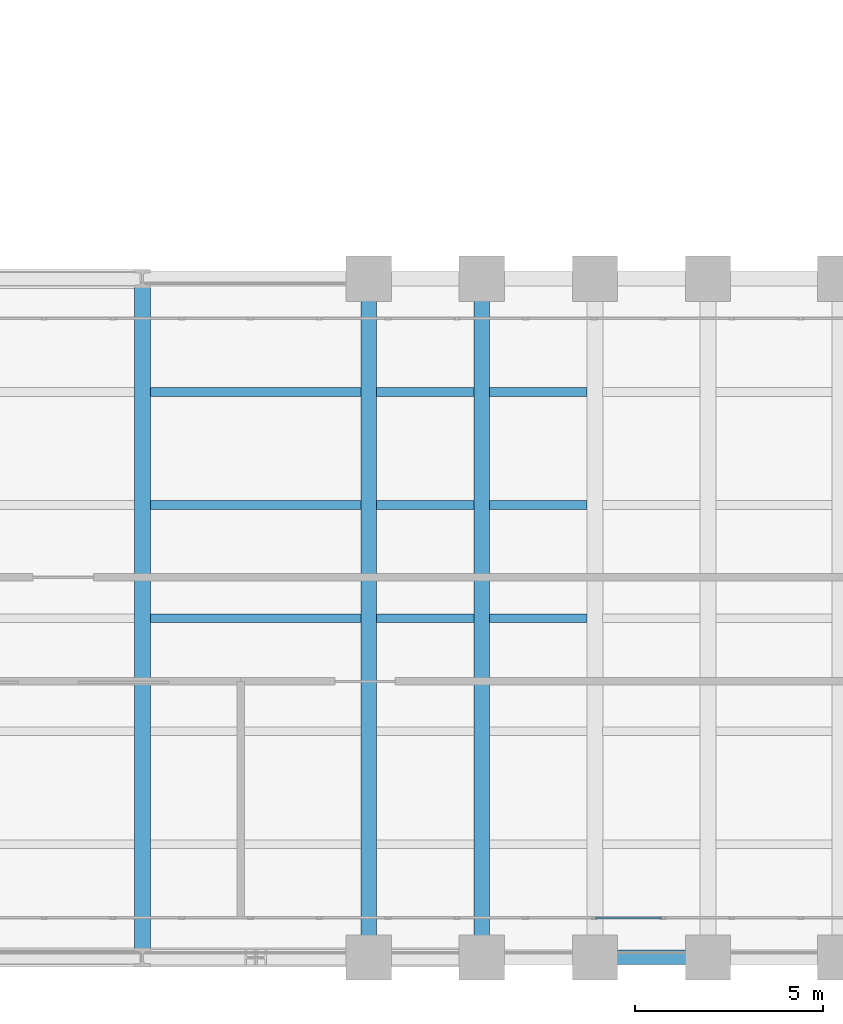
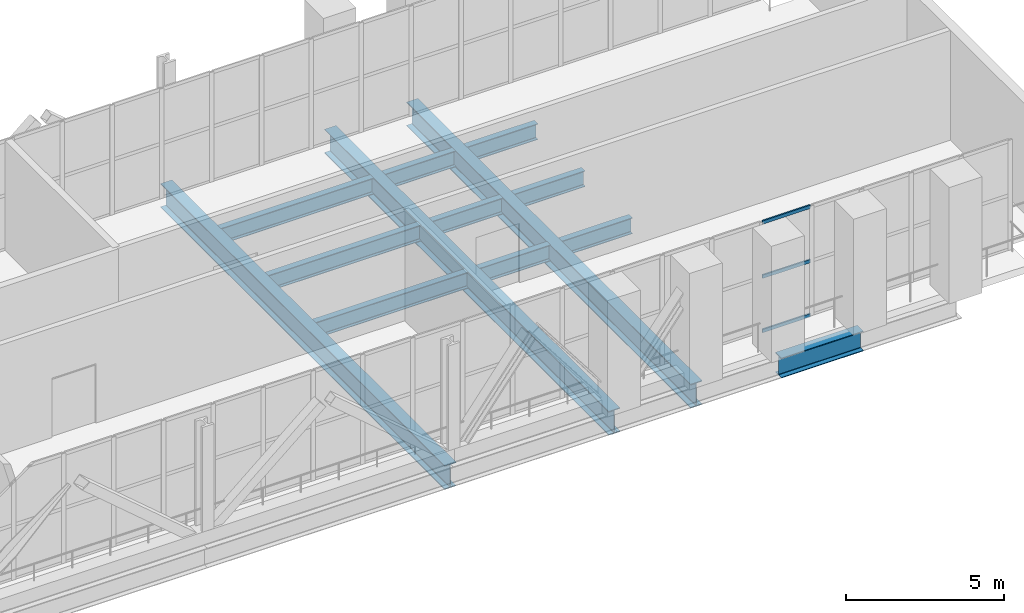
# One storey, part 14 of 27: 13 beams, 3 members, 1 element without a shape of its own.
"""IFC4 building model written with IfcOpenShell, lengths in metres."""

from ifc_helpers import new_model, si_unit, direction, frame, origin, origin_2d, place, context, subcontext, project, spatial, hollow_rectangle, i_section, extrude, material, layer, layer_set, material_profile, profile_set, type_object, element, aggregate, save


model = new_model("IFC4")

# Units and contexts
model_context = context("Model", 3, precision=1e-05, world=origin(), true_north=direction((0.0, 1.0)))
body_context = subcontext(model_context, "Body", "Model", "MODEL_VIEW")
ifc_project = project(units=[si_unit("LENGTHUNIT", "METRE"), si_unit("AREAUNIT", "SQUARE_METRE"), si_unit("VOLUMEUNIT", "CUBIC_METRE"), si_unit("PLANEANGLEUNIT", "RADIAN"), si_unit("MASSUNIT", "GRAM", prefix="KILO")], contexts=[model_context])

# Site, building, storey
site_placement = place(None, origin())
site = spatial("IfcSite", under=ifc_project, at=site_placement, CompositionType="ELEMENT")
building_placement = place(site_placement, origin())
building = spatial("IfcBuilding", under=site, at=building_placement, Name="Mawjdan Bourse Tower", CompositionType="ELEMENT")
storey_placement = place(building_placement, frame((0.0, 0.0, 84.60009765625)))
storey = spatial("IfcBuildingStorey", under=building, at=storey_placement, Name="L19", CompositionType="ELEMENT", Elevation=84.60009765625)

# Beams
ifc_material_1 = material(Name="Structural Steel S460", Category="steel")
ifc_material_profile_1 = material_profile(ifc_material_1, i_section(OverallWidth=0.41796875, OverallDepth=0.927001953125, WebThickness=0.019287109375, FlangeThickness=0.031982421875, FilletRadius=0.025634765625, at=origin_2d()), Name="W36X231")
ifc_profile_set_1 = profile_set([ifc_material_profile_1], Name="Structural Steel S460")
beam_type_1 = type_object("IfcBeamType", Name="GRD-W36X231", PredefinedType="BEAM", material=ifc_profile_set_1)
for number, where, z_axis, x_axis, name in (
    (1, (42.0, 3.0, -0.74365234375), (0.0, 1.0, 0.0), (-1.0, 0.0, 0.0), "L19 East Wing Clear-Span Girder 003"),
    (2, (48.0, 3.0, -0.74365234375), (0.0, 1.0, 0.0), (-1.0, 0.0, 0.0), "L19 East Wing Clear-Span Girder 004"),
    (3, (51.0, 3.0, -0.74365234375), (0.0, 1.0, 0.0), (-1.0, 0.0, 0.0), "L19 East Wing Clear-Span Girder 005"),
):
    element("IfcBeam", number, at=place(storey_placement, frame(where, z_axis=z_axis, x_axis=x_axis)), inside=storey, type_object=beam_type_1, Name=name, PredefinedType="BEAM", context=body_context, shape_type="SweptSolid", body=[
        extrude(i_section(OverallWidth=0.41796875, OverallDepth=0.927001953125, WebThickness=0.019287109375, FlangeThickness=0.031982421875, FilletRadius=0.025634765625, at=origin_2d()), origin(), (0.0, 0.0, 1.0), 18.0),
    ])
ifc_material_2 = material(Name="Structural Steel S355", Category="steel")
ifc_material_profile_2 = material_profile(ifc_material_2, i_section(OverallWidth=0.22998046875, OverallDepth=0.616943359375, WebThickness=0.01318359375, FlangeThickness=0.022216796875, FilletRadius=0.017822265625, at=origin_2d()), Name="W24X94")
ifc_profile_set_2 = profile_set([ifc_material_profile_2], Name="Structural Steel S355")
beam_type_2 = type_object("IfcBeamType", Name="JST-W24X94", PredefinedType="JOIST", material=ifc_profile_set_2)
beam_1_placement = place(storey_placement, frame((42.20703125, 12.0, -0.588623046875), z_axis=(1.0, 0.0, 0.0), x_axis=(0.0, 1.0, 0.0)))
element("IfcBeam", 4, at=beam_1_placement, inside=storey, type_object=beam_type_2, Name="L19 East Wing Composite Joist 039", PredefinedType="JOIST", context=body_context, shape_type="SweptSolid", body=[
    extrude(i_section(OverallWidth=0.22998046875, OverallDepth=0.616943359375, WebThickness=0.01318359375, FlangeThickness=0.022216796875, FilletRadius=0.017822265625, at=origin_2d()), origin(), (0.0, 0.0, 1.0), 5.5859375),
])
for number, where, z_axis, x_axis, name in (
    (5, (48.20703125, 12.0, -0.588623046875), (1.0, 0.0, 0.0), (0.0, 1.0, 0.0), "L19 East Wing Composite Joist 040"),
    (6, (51.20703125, 12.0, -0.588623046875), (1.0, 0.0, 0.0), (0.0, 1.0, 0.0), "L19 East Wing Composite Joist 041"),
):
    element("IfcBeam", number, at=place(storey_placement, frame(where, z_axis=z_axis, x_axis=x_axis)), inside=storey, type_object=beam_type_2, Name=name, PredefinedType="JOIST", context=body_context, shape_type="SweptSolid", body=[
        extrude(i_section(OverallWidth=0.22998046875, OverallDepth=0.616943359375, WebThickness=0.01318359375, FlangeThickness=0.022216796875, FilletRadius=0.017822265625, at=origin_2d()), origin(), (0.0, 0.0, 1.0), 2.5859375),
    ])
beam_2_placement = place(storey_placement, frame((42.20703125, 15.0, -0.588623046875), z_axis=(1.0, 0.0, 0.0), x_axis=(0.0, 1.0, 0.0)))
element("IfcBeam", 7, at=beam_2_placement, inside=storey, type_object=beam_type_2, Name="L19 East Wing Composite Joist 046", PredefinedType="JOIST", context=body_context, shape_type="SweptSolid", body=[
    extrude(i_section(OverallWidth=0.22998046875, OverallDepth=0.616943359375, WebThickness=0.01318359375, FlangeThickness=0.022216796875, FilletRadius=0.017822265625, at=origin_2d()), origin(), (0.0, 0.0, 1.0), 5.5859375),
])
for number, where, z_axis, x_axis, name in (
    (8, (48.20703125, 15.0, -0.588623046875), (1.0, 0.0, 0.0), (0.0, 1.0, 0.0), "L19 East Wing Composite Joist 047"),
    (9, (51.20703125, 15.0, -0.588623046875), (1.0, 0.0, 0.0), (0.0, 1.0, 0.0), "L19 East Wing Composite Joist 048"),
):
    element("IfcBeam", number, at=place(storey_placement, frame(where, z_axis=z_axis, x_axis=x_axis)), inside=storey, type_object=beam_type_2, Name=name, PredefinedType="JOIST", context=body_context, shape_type="SweptSolid", body=[
        extrude(i_section(OverallWidth=0.22998046875, OverallDepth=0.616943359375, WebThickness=0.01318359375, FlangeThickness=0.022216796875, FilletRadius=0.017822265625, at=origin_2d()), origin(), (0.0, 0.0, 1.0), 2.5859375),
    ])
beam_3_placement = place(storey_placement, frame((42.20703125, 18.0, -0.588623046875), z_axis=(1.0, 0.0, 0.0), x_axis=(0.0, 1.0, 0.0)))
element("IfcBeam", 10, at=beam_3_placement, inside=storey, type_object=beam_type_2, Name="L19 East Wing Composite Joist 053", PredefinedType="JOIST", context=body_context, shape_type="SweptSolid", body=[
    extrude(i_section(OverallWidth=0.22998046875, OverallDepth=0.616943359375, WebThickness=0.01318359375, FlangeThickness=0.022216796875, FilletRadius=0.017822265625, at=origin_2d()), origin(), (0.0, 0.0, 1.0), 5.5859375),
])
for number, where, z_axis, x_axis, name in (
    (11, (48.20703125, 18.0, -0.588623046875), (1.0, 0.0, 0.0), (0.0, 1.0, 0.0), "L19 East Wing Composite Joist 054"),
    (12, (51.20703125, 18.0, -0.588623046875), (1.0, 0.0, 0.0), (0.0, 1.0, 0.0), "L19 East Wing Composite Joist 055"),
):
    element("IfcBeam", number, at=place(storey_placement, frame(where, z_axis=z_axis, x_axis=x_axis)), inside=storey, type_object=beam_type_2, Name=name, PredefinedType="JOIST", context=body_context, shape_type="SweptSolid", body=[
        extrude(i_section(OverallWidth=0.22998046875, OverallDepth=0.616943359375, WebThickness=0.01318359375, FlangeThickness=0.022216796875, FilletRadius=0.017822265625, at=origin_2d()), origin(), (0.0, 0.0, 1.0), 2.5859375),
    ])
ifc_material_profile_3 = material_profile(ifc_material_2, i_section(OverallWidth=0.381103515625, OverallDepth=0.77294921875, WebThickness=0.0166015625, FlangeThickness=0.027099609375, FilletRadius=0.021728515625, at=origin_2d()), Name="W30X173")
ifc_profile_set_3 = profile_set([ifc_material_profile_3], Name="Structural Steel S355")
beam_type_3 = type_object("IfcBeamType", Name="SPN-W30X173", PredefinedType="SPANDREL", material=ifc_profile_set_3)
beam_4_placement = place(storey_placement, frame((54.0, 3.0, -0.66650390625), z_axis=(1.0, 0.0, 0.0), x_axis=(0.0, 1.0, 0.0)))
element("IfcBeam", 13, at=beam_4_placement, inside=storey, type_object=beam_type_3, Name="L19 Perimeter Masonry-Shelf Spandrel 014", PredefinedType="SPANDREL", context=body_context, shape_type="SweptSolid", body=[
    extrude(i_section(OverallWidth=0.381103515625, OverallDepth=0.77294921875, WebThickness=0.0166015625, FlangeThickness=0.027099609375, FilletRadius=0.021728515625, at=origin_2d()), origin(), (0.0, 0.0, 1.0), 3.0),
])

# Curtain wall, members
ifc_material_3 = material(Name="Thermally Broken Aluminium and Solar Glass", Category="aluminium")
ifc_layer = layer(ifc_material_3, 0.219970703125)
ifc_layer_set = layer_set([ifc_layer], Name="Thermally Broken Aluminium and Solar Glass")
curtain_wall_type = type_object("IfcCurtainWallType", Name="CW-RFG", PredefinedType="USERDEFINED", material=ifc_layer_set)
curtain_wall_placement = place(storey_placement, origin())
curtain_wall = element("IfcCurtainWall", 14, at=curtain_wall_placement, inside=storey, type_object=curtain_wall_type, Name="L19 Refuge Band South Louvre Curtain Wall", ObjectType="REFUGE BAND LOUVRE SCREEN", PredefinedType="USERDEFINED")
ifc_material_4 = material(Name="Thermally Broken Anodised Aluminium", Category="aluminium")
ifc_material_profile_4 = material_profile(ifc_material_4, hollow_rectangle(XDim=0.054931640625, YDim=0.1298828125, WallThickness=0.00341796875, at=origin_2d()), Name="ALU-TRN-130X55")
ifc_profile_set_4 = profile_set([ifc_material_profile_4], Name="Thermally Broken Anodised Aluminium")
member_type = type_object("IfcMemberType", Name="TRN-ALU-TRN-130X55", PredefinedType="USERDEFINED", material=ifc_profile_set_4)
member_1_placement = place(storey_placement, frame((54.013427734375, 4.050048828125, 0.02734375), z_axis=(1.0, 0.0, 0.0), x_axis=(0.0, 1.0, 0.0)))
member_1 = element("IfcMember", 15, at=member_1_placement, type_object=member_type, Name="CW-RFG-L19-RFG-S transom 17.1", ObjectType="TRANSOM", PredefinedType="USERDEFINED", context=body_context, shape_type="SweptSolid", body=[
    extrude(hollow_rectangle(XDim=0.054931640625, YDim=0.1298828125, WallThickness=0.00341796875, at=origin_2d()), origin(), (0.0, 0.0, 1.0), 1.7587890625),
])
member_2_placement = place(storey_placement, frame((54.013427734375, 4.050048828125, 2.125), z_axis=(1.0, 0.0, 0.0), x_axis=(0.0, 1.0, 0.0)))
member_2 = element("IfcMember", 16, at=member_2_placement, type_object=member_type, Name="CW-RFG-L19-RFG-S transom 17.2", ObjectType="TRANSOM", PredefinedType="USERDEFINED", context=body_context, shape_type="SweptSolid", body=[
    extrude(hollow_rectangle(XDim=0.054931640625, YDim=0.1298828125, WallThickness=0.00341796875, at=origin_2d()), origin(), (0.0, 0.0, 1.0), 1.7587890625),
])
member_3_placement = place(storey_placement, frame((54.013427734375, 4.050048828125, 4.222412109375), z_axis=(1.0, 0.0, 0.0), x_axis=(0.0, 1.0, 0.0)))
member_3 = element("IfcMember", 17, at=member_3_placement, type_object=member_type, Name="CW-RFG-L19-RFG-S transom 17.3", ObjectType="TRANSOM", PredefinedType="USERDEFINED", context=body_context, shape_type="SweptSolid", body=[
    extrude(hollow_rectangle(XDim=0.054931640625, YDim=0.1298828125, WallThickness=0.00341796875, at=origin_2d()), origin(), (0.0, 0.0, 1.0), 1.7587890625),
])
aggregate(curtain_wall, [member_1, member_2, member_3])

save(model, "model.ifc")
